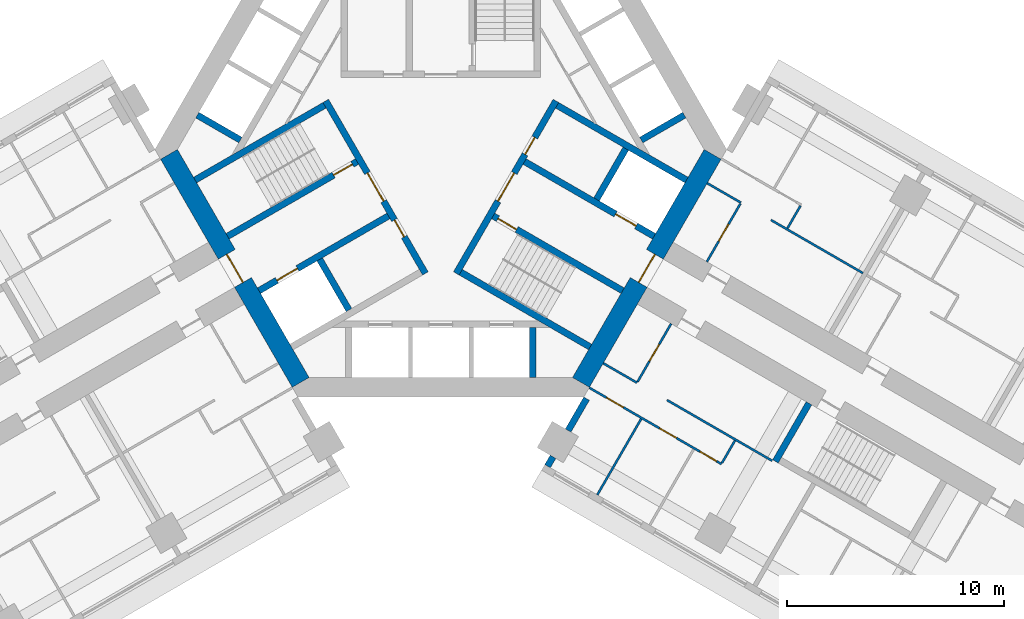
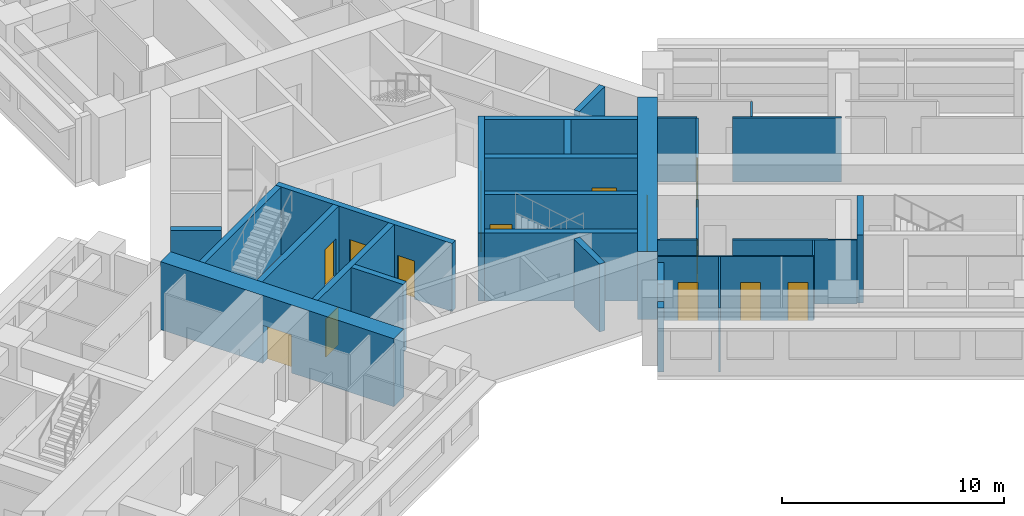
# One storey, part 7 of 16: 29 walls, 15 doors, 15 openings.
"""IFC4 building model written with IfcOpenShell, lengths in metres."""

from ifc_helpers import new_model, si_unit, direction, frame, frame_2d, origin, place, context, subcontext, project, spatial, rectangle, extrude, material, layer, layer_set, type_object, element, fill, save


model = new_model("IFC4")

# Units and contexts
model_context = context("Model", 3, precision=1e-05, world=origin(), true_north=direction((0.0, 1.0)))
body_context = subcontext(model_context, "Body", "Model", "MODEL_VIEW")
ifc_project = project(units=[si_unit("LENGTHUNIT", "METRE"), si_unit("AREAUNIT", "SQUARE_METRE"), si_unit("VOLUMEUNIT", "CUBIC_METRE"), si_unit("PLANEANGLEUNIT", "RADIAN"), si_unit("MASSUNIT", "GRAM", prefix="KILO")], contexts=[model_context])

# Site, building, storey
site_placement = place(None, origin())
site = spatial("IfcSite", under=ifc_project, at=site_placement, CompositionType="ELEMENT")
building_placement = place(site_placement, origin())
building = spatial("IfcBuilding", under=site, at=building_placement, Name="Impinga Residences", CompositionType="ELEMENT")
storey_placement = place(building_placement, frame((0.0, 0.0, 74.75)))
storey = spatial("IfcBuildingStorey", under=building, at=storey_placement, Name="L18", CompositionType="ELEMENT", Elevation=74.75)

# Walls
ifc_material_1 = material(Name="Terracotta rainscreen on blockwork", Category="masonry")
ifc_layer_1 = layer(ifc_material_1, 0.300048828125)
ifc_layer_set_1 = layer_set([ifc_layer_1], Name="EW1 external wall, terracotta rainscreen on blockwork 300")
wall_type_1 = type_object("IfcWallType", Name="EW1 external wall, terracotta rainscreen on blockwork 300", PredefinedType="SOLIDWALL", material=ifc_layer_set_1)
wall_1_placement = place(storey_placement, frame((4.929931640625, -14.624267578125, 0.0), z_axis=(0.0, 0.0, 1.0), x_axis=(0.499919672301, 0.866071776036, 0.0)))
element("IfcWall", 1, at=wall_1_placement, inside=storey, type_object=wall_type_1, Name="External wall EW1 L18", PredefinedType="SOLIDWALL", context=body_context, shape_type="SweptSolid", body=[
    extrude(rectangle(XDim=0.5, YDim=0.300048828125, at=frame_2d((0.25, 0.0))), origin(), (0.0, 0.0, 1.0), 3.530029296875),
])
wall_2_placement = place(storey_placement, frame((5.8798828125, -12.978759765625, 0.0), z_axis=(0.0, 0.0, 1.0), x_axis=(0.500062241894, 0.865989465428, 0.0)))
element("IfcWall", 2, at=wall_2_placement, inside=storey, type_object=wall_type_1, Name="External wall EW1 L18", PredefinedType="SOLIDWALL", context=body_context, shape_type="SweptSolid", body=[
    extrude(rectangle(XDim=1.699951171875, YDim=0.300048828125, at=frame_2d((0.85009765625, 0.0))), origin(), (0.0, 0.0, 1.0), 3.530029296875),
])
ifc_material_2 = material(Name="Gypsum board on steel studs", Category="steel")
ifc_layer_2 = layer(ifc_material_2, 0.10009765625)
ifc_layer_set_2 = layer_set([ifc_layer_2], Name="Gypsum board on steel studs")
wall_type_2 = type_object("IfcWallType", Name="IP1 partition 100", PredefinedType="PARTITIONING", material=ifc_layer_set_2)
wall_3_placement = place(storey_placement, frame((12.300048828125, -1.558837890625, 0.0), z_axis=(0.0, 0.0, 1.0), x_axis=(0.866047807691, -0.499961193289, 0.0)))
element("IfcWall", 3, at=wall_3_placement, inside=storey, type_object=wall_type_2, Name="Partition L18-EA1:DIV0", PredefinedType="PARTITIONING", context=body_context, shape_type="SweptSolid", body=[
    extrude(rectangle(XDim=1.800048828125, YDim=0.10009765625, at=frame_2d((0.89990234375, 0.0))), origin(), (0.0, 0.0, 1.0), 3.530029296875),
])
wall_4_placement = place(storey_placement, frame((15.244384765625, -3.2587890625, 0.0), z_axis=(0.0, 0.0, 1.0), x_axis=(0.866036242063, -0.49998122708, 0.0)))
element("IfcWall", 4, at=wall_4_placement, inside=storey, type_object=wall_type_2, Name="Partition L18-EA1:DIV1", PredefinedType="PARTITIONING", context=body_context, shape_type="SweptSolid", body=[
    extrude(rectangle(XDim=4.900146484375, YDim=0.10009765625, at=frame_2d((2.4501953125, 0.0))), origin(), (0.0, 0.0, 1.0), 3.530029296875),
])
wall_5_placement = place(storey_placement, frame((16.005615234375, -3.640625, 0.0), z_axis=(0.0, 0.0, 1.0), x_axis=(0.500033551112, 0.866006032174, 0.0)))
element("IfcWall", 5, at=wall_5_placement, inside=storey, type_object=wall_type_2, Name="Partition L18-EA1:SE1", PredefinedType="PARTITIONING", context=body_context, shape_type="SweptSolid", body=[
    extrude(rectangle(XDim=1.2001953125, YDim=0.10009765625, at=frame_2d((0.60009765625, 0.0))), origin(), (0.0, 0.0, 1.0), 3.530029296875),
])

# Wall, opening, door
wall_6_placement = place(storey_placement, frame((12.283935546875, -5.186767578125, 0.0), z_axis=(0.0, 0.0, 1.0), x_axis=(0.499967891604, 0.866043940782, 0.0)))
wall_6 = element("IfcWall", 6, at=wall_6_placement, inside=storey, type_object=wall_type_2, Name="Partition L18-EA1:IB1", PredefinedType="PARTITIONING", context=body_context, shape_type="SweptSolid", body=[
    extrude(rectangle(XDim=3.099853515625, YDim=0.10009765625, at=frame_2d((1.5498046875, 0.0))), origin(), (0.0, 0.0, 1.0), 3.530029296875),
])
opening_1_placement = place(wall_6_placement, frame((1.10009765625, 0.0, 0.0)))
opening_1 = element("IfcOpeningElement", 7, at=opening_1_placement, cuts=wall_6, Name="Opening D2", PredefinedType="OPENING", context=body_context, shape_type="SweptSolid", body=[
    extrude(rectangle(XDim=0.89990234375, YDim=2.10009765625, at=frame_2d((0.449951171875, 1.050048828125))), frame((0.0, 0.06005859375, 0.0), z_axis=(0.0, -1.0, 0.0), x_axis=(1.0, 0.0, 0.0)), (0.0, 0.0, 1.0), 0.1201171875),
])
ifc_material_3 = material(Name="Timber door set", Category="wood")
door_type_1 = type_object("IfcDoorType", Name="D2 internal door 900x2100", OperationType="SINGLE_SWING_LEFT", PredefinedType="DOOR", material=ifc_material_3)
door_1_placement = place(opening_1_placement, origin())
door_1 = element("IfcDoor", 8, at=door_1_placement, inside=storey, type_object=door_type_1, Name="Apartment L18-EA1 bathroom door", OperationType="SINGLE_SWING_LEFT", OverallHeight=2.10009765625, OverallWidth=0.89990234375, PredefinedType="DOOR", context=body_context, shape_type="SweptSolid", body=[
    extrude(rectangle(XDim=0.89990234375, YDim=2.10009765625, at=frame_2d((0.449951171875, 1.050048828125))), frame((0.0, 0.02490234375, 0.0), z_axis=(0.0, -1.0, 0.0), x_axis=(1.0, 0.0, 0.0)), (0.0, 0.0, 1.0), 0.050048828125),
])
fill(opening_1, door_1)

# Walls
wall_7_placement = place(storey_placement, frame((7.5, -9.872802734375, 0.0), z_axis=(0.0, 0.0, 1.0), x_axis=(0.866047807691, -0.499961193289, 0.0)))
element("IfcWall", 9, at=wall_7_placement, inside=storey, type_object=wall_type_2, Name="Partition L18-EF1:DIV0", PredefinedType="PARTITIONING", context=body_context, shape_type="SweptSolid", body=[
    extrude(rectangle(XDim=1.800048828125, YDim=0.10009765625, at=frame_2d((0.89990234375, 0.0))), origin(), (0.0, 0.0, 1.0), 3.530029296875),
])
wall_8_placement = place(storey_placement, frame((10.444580078125, -11.57275390625, 0.0), z_axis=(0.0, 0.0, 1.0), x_axis=(0.866015695474, -0.500016814911, 0.0)))
element("IfcWall", 10, at=wall_8_placement, inside=storey, type_object=wall_type_2, Name="Partition L18-EF1:DIV1", PredefinedType="PARTITIONING", context=body_context, shape_type="SweptSolid", body=[
    extrude(rectangle(XDim=5.599853515625, YDim=0.10009765625, at=frame_2d((2.7998046875, 0.0))), origin(), (0.0, 0.0, 1.0), 3.530029296875),
])

# Wall, openings, doors
wall_9_placement = place(storey_placement, frame((6.85009765625, -10.99853515625, 0.0), z_axis=(0.0, 0.0, 1.0), x_axis=(0.866031034943, -0.499990246421, 0.0)))
wall_9 = element("IfcWall", 11, at=wall_9_placement, inside=storey, type_object=wall_type_2, Name="Partition L18-EF1:STRIP", PredefinedType="PARTITIONING", context=body_context, shape_type="SweptSolid", body=[
    extrude(rectangle(XDim=7.050048828125, YDim=0.10009765625, at=frame_2d((3.52490234375, 0.0))), origin(), (0.0, 0.0, 1.0), 3.530029296875),
])
opening_2_placement = place(wall_9_placement, frame((0.925048828125, 0.0, 0.0)))
opening_2 = element("IfcOpeningElement", 12, at=opening_2_placement, cuts=wall_9, Name="Opening D2", PredefinedType="OPENING", context=body_context, shape_type="SweptSolid", body=[
    extrude(rectangle(XDim=0.89990234375, YDim=2.10009765625, at=frame_2d((0.449951171875, 1.050048828125))), frame((0.0, 0.06005859375, 0.0), z_axis=(0.0, -1.0, 0.0), x_axis=(1.0, 0.0, 0.0)), (0.0, 0.0, 1.0), 0.1201171875),
])
opening_3_placement = place(wall_9_placement, frame((3.75, 0.0, 0.0)))
opening_3 = element("IfcOpeningElement", 13, at=opening_3_placement, cuts=wall_9, Name="Opening D2", PredefinedType="OPENING", context=body_context, shape_type="SweptSolid", body=[
    extrude(rectangle(XDim=0.89990234375, YDim=2.10009765625, at=frame_2d((0.449951171875, 1.050048828125))), frame((0.0, 0.06005859375, 0.0), z_axis=(0.0, -1.0, 0.0), x_axis=(1.0, 0.0, 0.0)), (0.0, 0.0, 1.0), 0.1201171875),
])
opening_4_placement = place(wall_9_placement, frame((5.89990234375, 0.0, 0.0)))
opening_4 = element("IfcOpeningElement", 14, at=opening_4_placement, cuts=wall_9, Name="Opening D2", PredefinedType="OPENING", context=body_context, shape_type="SweptSolid", body=[
    extrude(rectangle(XDim=0.89990234375, YDim=2.10009765625, at=frame_2d((0.449951171875, 1.050048828125))), frame((0.0, 0.06005859375, 0.0), z_axis=(0.0, -1.0, 0.0), x_axis=(1.0, 0.0, 0.0)), (0.0, 0.0, 1.0), 0.1201171875),
])
door_2_placement = place(opening_2_placement, origin())
door_2 = element("IfcDoor", 15, at=door_2_placement, inside=storey, type_object=door_type_1, Name="Apartment L18-EF1 room door", OperationType="SINGLE_SWING_LEFT", OverallHeight=2.10009765625, OverallWidth=0.89990234375, PredefinedType="DOOR", context=body_context, shape_type="SweptSolid", body=[
    extrude(rectangle(XDim=0.89990234375, YDim=2.10009765625, at=frame_2d((0.449951171875, 1.050048828125))), frame((0.0, 0.02490234375, 0.0), z_axis=(0.0, -1.0, 0.0), x_axis=(1.0, 0.0, 0.0)), (0.0, 0.0, 1.0), 0.050048828125),
])
fill(opening_2, door_2)
door_3_placement = place(opening_3_placement, origin())
door_3 = element("IfcDoor", 16, at=door_3_placement, inside=storey, type_object=door_type_1, Name="Apartment L18-EF1 room door", OperationType="SINGLE_SWING_RIGHT", OverallHeight=2.10009765625, OverallWidth=0.89990234375, PredefinedType="DOOR", context=body_context, shape_type="SweptSolid", body=[
    extrude(rectangle(XDim=0.89990234375, YDim=2.10009765625, at=frame_2d((0.449951171875, 1.050048828125))), frame((0.0, 0.02490234375, 0.0), z_axis=(0.0, -1.0, 0.0), x_axis=(1.0, 0.0, 0.0)), (0.0, 0.0, 1.0), 0.050048828125),
])
fill(opening_3, door_3)
door_4_placement = place(opening_4_placement, origin())
door_4 = element("IfcDoor", 17, at=door_4_placement, inside=storey, type_object=door_type_1, Name="Apartment L18-EF1 room door", OperationType="SINGLE_SWING_RIGHT", OverallHeight=2.10009765625, OverallWidth=0.89990234375, PredefinedType="DOOR", context=body_context, shape_type="SweptSolid", body=[
    extrude(rectangle(XDim=0.89990234375, YDim=2.10009765625, at=frame_2d((0.449951171875, 1.050048828125))), frame((0.0, 0.02490234375, 0.0), z_axis=(0.0, -1.0, 0.0), x_axis=(1.0, 0.0, 0.0)), (0.0, 0.0, 1.0), 0.050048828125),
])
fill(opening_4, door_4)

# Wall
wall_10_placement = place(storey_placement, frame((13.58056640625, -13.44091796875, 0.0), z_axis=(0.0, 0.0, 1.0), x_axis=(-0.500033551112, -0.866006032174, 0.0)))
element("IfcWall", 18, at=wall_10_placement, inside=storey, type_object=wall_type_2, Name="Partition L18-EF1:SE1", PredefinedType="PARTITIONING", context=body_context, shape_type="SweptSolid", body=[
    extrude(rectangle(XDim=1.2001953125, YDim=0.10009765625, at=frame_2d((0.60009765625, 0.0))), origin(), (0.0, 0.0, 1.0), 3.530029296875),
])

# Wall, opening, door
wall_11_placement = place(storey_placement, frame((10.6337890625, -8.044677734375, 0.0), z_axis=(0.0, 0.0, 1.0), x_axis=(-0.49999285859, -0.86602952684, 0.0)))
wall_11 = element("IfcWall", 19, at=wall_11_placement, inside=storey, type_object=wall_type_2, Name="Partition L18-EF1:IB1", PredefinedType="PARTITIONING", context=body_context, shape_type="SweptSolid", body=[
    extrude(rectangle(XDim=3.10009765625, YDim=0.10009765625, at=frame_2d((1.550048828125, 0.0))), origin(), (0.0, 0.0, 1.0), 3.530029296875),
])
opening_5_placement = place(wall_11_placement, frame((1.10009765625, 0.0, 0.0)))
opening_5 = element("IfcOpeningElement", 20, at=opening_5_placement, cuts=wall_11, Name="Opening D2", PredefinedType="OPENING", context=body_context, shape_type="SweptSolid", body=[
    extrude(rectangle(XDim=0.89990234375, YDim=2.10009765625, at=frame_2d((0.449951171875, 1.050048828125))), frame((0.0, 0.06005859375, 0.0), z_axis=(0.0, -1.0, 0.0), x_axis=(1.0, 0.0, 0.0)), (0.0, 0.0, 1.0), 0.1201171875),
])
door_5_placement = place(opening_5_placement, origin())
door_5 = element("IfcDoor", 21, at=door_5_placement, inside=storey, type_object=door_type_1, Name="Apartment L18-EF1 bathroom door", OperationType="SINGLE_SWING_LEFT", OverallHeight=2.10009765625, OverallWidth=0.89990234375, PredefinedType="DOOR", context=body_context, shape_type="SweptSolid", body=[
    extrude(rectangle(XDim=0.89990234375, YDim=2.10009765625, at=frame_2d((0.449951171875, 1.050048828125))), frame((0.0, 0.02490234375, 0.0), z_axis=(0.0, -1.0, 0.0), x_axis=(1.0, 0.0, 0.0)), (0.0, 0.0, 1.0), 0.050048828125),
])
fill(opening_5, door_5)

# Walls
wall_12_placement = place(storey_placement, frame((9.249755859375, -12.44189453125, 0.0), z_axis=(0.0, 0.0, 1.0), x_axis=(-0.499990325971, -0.866030989016, 0.0)))
element("IfcWall", 22, at=wall_12_placement, inside=storey, type_object=wall_type_2, Name="Partition L18-EF1:OB1", PredefinedType="PARTITIONING", context=body_context, shape_type="SweptSolid", body=[
    extrude(rectangle(XDim=4.0498046875, YDim=0.10009765625, at=frame_2d((2.02490234375, 0.0))), origin(), (0.0, 0.0, 1.0), 3.530029296875),
])
ifc_material_4 = material(Name="Concrete C60/75", Category="concrete")
ifc_layer_3 = layer(ifc_material_4, 0.300048828125)
ifc_layer_set_3 = layer_set([ifc_layer_3], Name="Concrete C60/75")
wall_type_3 = type_object("IfcWallType", Name="SE1 wing stair enclosure wall 300", PredefinedType="SOLIDWALL", material=ifc_layer_set_3)
wall_13_placement = place(storey_placement, frame((16.9990234375, -11.7197265625, 0.0), z_axis=(0.0, 0.0, 1.0), x_axis=(-0.499967891604, -0.866043940782, 0.0)))
element("IfcWall", 23, at=wall_13_placement, inside=storey, type_object=wall_type_3, Name="Stair enclosure wall SE1 E END0 L18", PredefinedType="SOLIDWALL", context=body_context, shape_type="SweptSolid", body=[
    extrude(rectangle(XDim=3.099853515625, YDim=0.300048828125, at=frame_2d((1.5498046875, 0.0))), origin(), (0.0, 0.0, 1.0), 3.75),
])

# Wall, opening, door
ifc_material_5 = material(Name="Concrete C70/85", Category="concrete")
ifc_layer_4 = layer(ifc_material_5, 0.89990234375)
ifc_layer_set_4 = layer_set([ifc_layer_4], Name="Concrete C70/85")
wall_type_4 = type_object("IfcWallType", Name="SW1 core wall 900", PredefinedType="SHEAR", material=ifc_layer_set_4)
wall_14_placement = place(storey_placement, frame((-6.47021484375, -10.756591796875, 0.0), z_axis=(0.0, 0.0, 1.0), x_axis=(-0.499997612506, 0.8660267822, 0.0)))
wall_14 = element("IfcWall", 24, at=wall_14_placement, inside=storey, type_object=wall_type_4, Name="Core wall SW1 W:FACE L18", PredefinedType="SHEAR", context=body_context, shape_type="SweptSolid", body=[
    extrude(rectangle(XDim=12.16064453125, YDim=0.89990234375, at=frame_2d((6.080322265625, 0.0))), origin(), (0.0, 0.0, 1.0), 3.75),
])
opening_6_placement = place(wall_14_placement, frame((5.330322265625, 0.0, 0.0)))
opening_6 = element("IfcOpeningElement", 25, at=opening_6_placement, cuts=wall_14, Name="Opening D4", PredefinedType="OPENING", context=body_context, shape_type="SweptSolid", body=[
    extrude(rectangle(XDim=1.5, YDim=2.10009765625, at=frame_2d((0.75, 1.050048828125))), frame((0.0, 0.4599609375, 0.0), z_axis=(0.0, -1.0, 0.0), x_axis=(1.0, 0.0, 0.0)), (0.0, 0.0, 1.0), 0.919921875),
])
door_type_2 = type_object("IfcDoorType", Name="D4 lobby door pair 1500x2100", OperationType="DOUBLE_DOOR_DOUBLE_SWING", PredefinedType="DOOR", material=ifc_material_3)
door_6_placement = place(opening_6_placement, origin())
door_6 = element("IfcDoor", 26, at=door_6_placement, inside=storey, type_object=door_type_2, Name="Lobby door W", OperationType="DOUBLE_DOOR_DOUBLE_SWING", OverallHeight=2.10009765625, OverallWidth=1.5, PredefinedType="DOOR", context=body_context, shape_type="SweptSolid", body=[
    extrude(rectangle(XDim=1.5, YDim=2.10009765625, at=frame_2d((0.75, 1.050048828125))), frame((0.0, 0.02490234375, 0.0), z_axis=(0.0, -1.0, 0.0), x_axis=(1.0, 0.0, 0.0)), (0.0, 0.0, 1.0), 0.050048828125),
])
fill(opening_6, door_6)

wall_15_placement = place(storey_placement, frame((12.550537109375, -0.22509765625, 0.0), z_axis=(0.0, 0.0, 1.0), x_axis=(-0.499997612506, -0.8660267822, 0.0)))
wall_15 = element("IfcWall", 27, at=wall_15_placement, inside=storey, type_object=wall_type_4, Name="Core wall SW1 E:FACE L18", PredefinedType="SHEAR", context=body_context, shape_type="SweptSolid", body=[
    extrude(rectangle(XDim=12.16064453125, YDim=0.89990234375, at=frame_2d((6.080322265625, 0.0))), origin(), (0.0, 0.0, 1.0), 3.75),
])
opening_7_placement = place(wall_15_placement, frame((5.330322265625, 0.0, 0.0)))
opening_7 = element("IfcOpeningElement", 28, at=opening_7_placement, cuts=wall_15, Name="Opening D4", PredefinedType="OPENING", context=body_context, shape_type="SweptSolid", body=[
    extrude(rectangle(XDim=1.5, YDim=2.10009765625, at=frame_2d((0.75, 1.050048828125))), frame((0.0, 0.4599609375, 0.0), z_axis=(0.0, -1.0, 0.0), x_axis=(1.0, 0.0, 0.0)), (0.0, 0.0, 1.0), 0.919921875),
])
door_7_placement = place(opening_7_placement, origin())
door_7 = element("IfcDoor", 29, at=door_7_placement, inside=storey, type_object=door_type_2, Name="Lobby door E", OperationType="DOUBLE_DOOR_DOUBLE_SWING", OverallHeight=2.10009765625, OverallWidth=1.5, PredefinedType="DOOR", context=body_context, shape_type="SweptSolid", body=[
    extrude(rectangle(XDim=1.5, YDim=2.10009765625, at=frame_2d((0.75, 1.050048828125))), frame((0.0, 0.02490234375, 0.0), z_axis=(0.0, -1.0, 0.0), x_axis=(1.0, 0.0, 0.0)), (0.0, 0.0, 1.0), 0.050048828125),
])
fill(opening_7, door_7)

# Wall, openings, doors
ifc_layer_5 = layer(ifc_material_5, 0.300048828125)
ifc_layer_set_5 = layer_set([ifc_layer_5], Name="Concrete C70/85")
wall_type_5 = type_object("IfcWallType", Name="SW5 core inner wall, stairs, shafts and lobbies 300", PredefinedType="SHEAR", material=ifc_layer_set_5)
wall_16_placement = place(storey_placement, frame((-0.7138671875, -5.7236328125, 0.0), z_axis=(0.0, 0.0, 1.0), x_axis=(-0.499995050369, 0.866028261437, 0.0)))
wall_16 = element("IfcWall", 30, at=wall_16_placement, inside=storey, type_object=wall_type_5, Name="Core wall SW5 W:ZONE L18", PredefinedType="SHEAR", context=body_context, shape_type="SweptSolid", body=[
    extrude(rectangle(XDim=9.19970703125, YDim=0.300048828125, at=frame_2d((4.599853515625, 0.0))), origin(), (0.0, 0.0, 1.0), 3.75),
])
opening_8_placement = place(wall_16_placement, frame((3.85009765625, 0.0, 0.0)))
opening_8 = element("IfcOpeningElement", 31, at=opening_8_placement, cuts=wall_16, Name="Opening D4", PredefinedType="OPENING", context=body_context, shape_type="SweptSolid", body=[
    extrude(rectangle(XDim=1.5, YDim=2.10009765625, at=frame_2d((0.75, 1.050048828125))), frame((0.0, 0.159912109375, 0.0), z_axis=(0.0, -1.0, 0.0), x_axis=(1.0, 0.0, 0.0)), (0.0, 0.0, 1.0), 0.320068359375),
])
opening_9_placement = place(wall_16_placement, frame((1.949951171875, 0.0, 0.0)))
opening_9 = element("IfcOpeningElement", 32, at=opening_9_placement, cuts=wall_16, Name="Opening D6", PredefinedType="OPENING", context=body_context, shape_type="SweptSolid", body=[
    extrude(rectangle(XDim=0.89990234375, YDim=2.10009765625, at=frame_2d((0.449951171875, 1.050048828125))), frame((0.0, 0.159912109375, 0.0), z_axis=(0.0, -1.0, 0.0), x_axis=(1.0, 0.0, 0.0)), (0.0, 0.0, 1.0), 0.320068359375),
])
door_8_placement = place(opening_8_placement, origin())
door_8 = element("IfcDoor", 33, at=door_8_placement, inside=storey, type_object=door_type_2, Name="Firefighting lobby door W", OperationType="DOUBLE_DOOR_DOUBLE_SWING", OverallHeight=2.10009765625, OverallWidth=1.5, PredefinedType="DOOR", context=body_context, shape_type="SweptSolid", body=[
    extrude(rectangle(XDim=1.5, YDim=2.10009765625, at=frame_2d((0.75, 1.050048828125))), frame((0.0, 0.02490234375, 0.0), z_axis=(0.0, -1.0, 0.0), x_axis=(1.0, 0.0, 0.0)), (0.0, 0.0, 1.0), 0.050048828125),
])
fill(opening_8, door_8)
door_type_3 = type_object("IfcDoorType", Name="D6 riser and store door 900x2100", OperationType="SINGLE_SWING_LEFT", PredefinedType="DOOR", material=ifc_material_3)
door_9_placement = place(opening_9_placement, origin())
door_9 = element("IfcDoor", 34, at=door_9_placement, inside=storey, type_object=door_type_3, Name="Riser door W", OperationType="SINGLE_SWING_LEFT", OverallHeight=2.10009765625, OverallWidth=0.89990234375, PredefinedType="DOOR", context=body_context, shape_type="SweptSolid", body=[
    extrude(rectangle(XDim=0.89990234375, YDim=2.10009765625, at=frame_2d((0.449951171875, 1.050048828125))), frame((0.0, 0.02490234375, 0.0), z_axis=(0.0, -1.0, 0.0), x_axis=(1.0, 0.0, 0.0)), (0.0, 0.0, 1.0), 0.050048828125),
])
fill(opening_9, door_9)

# Wall, opening, door
wall_17_placement = place(storey_placement, frame((-3.86865234375, -0.559326171875, 0.0), z_axis=(0.0, 0.0, 1.0), x_axis=(-0.86602711848, -0.499997030048, 0.0)))
wall_17 = element("IfcWall", 35, at=wall_17_placement, inside=storey, type_object=wall_type_5, Name="Core wall SW5 W:ST-IN L18", PredefinedType="SHEAR", context=body_context, shape_type="SweptSolid", body=[
    extrude(rectangle(XDim=6.9013671875, YDim=0.300048828125, at=frame_2d((3.45068359375, 0.0))), origin(), (0.0, 0.0, 1.0), 3.75),
])
opening_10_placement = place(wall_17_placement, frame((0.25, 0.0, 0.0)))
opening_10 = element("IfcOpeningElement", 36, at=opening_10_placement, cuts=wall_17, Name="Opening D5", PredefinedType="OPENING", context=body_context, shape_type="SweptSolid", body=[
    extrude(rectangle(XDim=1.0, YDim=2.10009765625, at=frame_2d((0.5, 1.050048828125))), frame((0.0, 0.159912109375, 0.0), z_axis=(0.0, -1.0, 0.0), x_axis=(1.0, 0.0, 0.0)), (0.0, 0.0, 1.0), 0.320068359375),
])
door_type_4 = type_object("IfcDoorType", Name="D5 stair door 1000x2100", OperationType="SINGLE_SWING_LEFT", PredefinedType="DOOR", material=ifc_material_3)
door_10_placement = place(opening_10_placement, origin())
door_10 = element("IfcDoor", 37, at=door_10_placement, inside=storey, type_object=door_type_4, Name="Stair door W", OperationType="SINGLE_SWING_LEFT", OverallHeight=2.10009765625, OverallWidth=1.0, PredefinedType="DOOR", context=body_context, shape_type="SweptSolid", body=[
    extrude(rectangle(XDim=1.0, YDim=2.10009765625, at=frame_2d((0.5, 1.050048828125))), frame((0.0, 0.02490234375, 0.0), z_axis=(0.0, -1.0, 0.0), x_axis=(1.0, 0.0, 0.0)), (0.0, 0.0, 1.0), 0.050048828125),
])
fill(opening_10, door_10)

# Wall
wall_18_placement = place(storey_placement, frame((-5.36865234375, 2.038818359375, 0.0), z_axis=(0.0, 0.0, 1.0), x_axis=(-0.86602711848, -0.499997030048, 0.0)))
element("IfcWall", 38, at=wall_18_placement, inside=storey, type_object=wall_type_5, Name="Core wall SW5 W:ST-OUT L18", PredefinedType="SHEAR", context=body_context, shape_type="SweptSolid", body=[
    extrude(rectangle(XDim=6.9013671875, YDim=0.300048828125, at=frame_2d((3.45068359375, 0.0))), origin(), (0.0, 0.0, 1.0), 3.75),
])

# Wall, opening, door
wall_19_placement = place(storey_placement, frame((-2.418701171875, -3.07080078125, 0.0), z_axis=(0.0, 0.0, 1.0), x_axis=(-0.86602711848, -0.499997030048, 0.0)))
wall_19 = element("IfcWall", 39, at=wall_19_placement, inside=storey, type_object=wall_type_5, Name="Core wall SW5 W:FF-IN L18", PredefinedType="SHEAR", context=body_context, shape_type="SweptSolid", body=[
    extrude(rectangle(XDim=6.9013671875, YDim=0.300048828125, at=frame_2d((3.45068359375, 0.0))), origin(), (0.0, 0.0, 1.0), 3.75),
])
opening_11_placement = place(wall_19_placement, frame((4.85009765625, 0.0, 0.0)))
opening_11 = element("IfcOpeningElement", 40, at=opening_11_placement, cuts=wall_19, Name="Opening LD2", PredefinedType="OPENING", context=body_context, shape_type="SweptSolid", body=[
    extrude(rectangle(XDim=1.10009765625, YDim=2.10009765625, at=frame_2d((0.550048828125, 1.050048828125))), frame((0.0, 0.159912109375, 0.0), z_axis=(0.0, -1.0, 0.0), x_axis=(1.0, 0.0, 0.0)), (0.0, 0.0, 1.0), 0.320068359375),
])
ifc_material_6 = material(Name="Steel lift landing door", Category="steel")
door_type_5 = type_object("IfcDoorType", Name="LD2 firefighting lift landing door 1100x2100", OperationType="DOUBLE_DOOR_SLIDING", PredefinedType="DOOR", material=ifc_material_6)
door_11_placement = place(opening_11_placement, origin())
door_11 = element("IfcDoor", 41, at=door_11_placement, inside=storey, type_object=door_type_5, Name="Firefighting lift landing door F2", OperationType="DOUBLE_DOOR_SLIDING", OverallHeight=2.10009765625, OverallWidth=1.10009765625, PredefinedType="DOOR", context=body_context, shape_type="SweptSolid", body=[
    extrude(rectangle(XDim=1.10009765625, YDim=2.10009765625, at=frame_2d((0.550048828125, 1.050048828125))), frame((0.0, 0.02490234375, 0.0), z_axis=(0.0, -1.0, 0.0), x_axis=(1.0, 0.0, 0.0)), (0.0, 0.0, 1.0), 0.050048828125),
])
fill(opening_11, door_11)

# Wall
wall_20_placement = place(storey_placement, frame((-4.2412109375, -7.413818359375, 0.0), z_axis=(0.0, 0.0, 1.0), x_axis=(-0.500048589285, 0.86599734893, 0.0)))
element("IfcWall", 42, at=wall_20_placement, inside=storey, type_object=wall_type_5, Name="Core wall SW5 W:FF-RS L18", PredefinedType="SHEAR", context=body_context, shape_type="SweptSolid", body=[
    extrude(rectangle(XDim=2.699951171875, YDim=0.300048828125, at=frame_2d((1.35009765625, 0.0))), origin(), (0.0, 0.0, 1.0), 3.75),
])

# Wall, openings, doors
wall_21_placement = place(storey_placement, frame((5.313720703125, 2.24365234375, 0.0), z_axis=(0.0, 0.0, 1.0), x_axis=(-0.499995050369, -0.866028261437, 0.0)))
wall_21 = element("IfcWall", 43, at=wall_21_placement, inside=storey, type_object=wall_type_5, Name="Core wall SW5 E:ZONE L18", PredefinedType="SHEAR", context=body_context, shape_type="SweptSolid", body=[
    extrude(rectangle(XDim=9.19970703125, YDim=0.300048828125, at=frame_2d((4.599853515625, 0.0))), origin(), (0.0, 0.0, 1.0), 3.75),
])
opening_12_placement = place(wall_21_placement, frame((3.85009765625, 0.0, 0.0)))
opening_12 = element("IfcOpeningElement", 44, at=opening_12_placement, cuts=wall_21, Name="Opening D4", PredefinedType="OPENING", context=body_context, shape_type="SweptSolid", body=[
    extrude(rectangle(XDim=1.5, YDim=2.10009765625, at=frame_2d((0.75, 1.050048828125))), frame((0.0, 0.159912109375, 0.0), z_axis=(0.0, -1.0, 0.0), x_axis=(1.0, 0.0, 0.0)), (0.0, 0.0, 1.0), 0.320068359375),
])
opening_13_placement = place(wall_21_placement, frame((1.949951171875, 0.0, 0.0)))
opening_13 = element("IfcOpeningElement", 45, at=opening_13_placement, cuts=wall_21, Name="Opening D6", PredefinedType="OPENING", context=body_context, shape_type="SweptSolid", body=[
    extrude(rectangle(XDim=0.89990234375, YDim=2.10009765625, at=frame_2d((0.449951171875, 1.050048828125))), frame((0.0, 0.159912109375, 0.0), z_axis=(0.0, -1.0, 0.0), x_axis=(1.0, 0.0, 0.0)), (0.0, 0.0, 1.0), 0.320068359375),
])
door_12_placement = place(opening_12_placement, origin())
door_12 = element("IfcDoor", 46, at=door_12_placement, inside=storey, type_object=door_type_2, Name="Firefighting lobby door E", OperationType="DOUBLE_DOOR_DOUBLE_SWING", OverallHeight=2.10009765625, OverallWidth=1.5, PredefinedType="DOOR", context=body_context, shape_type="SweptSolid", body=[
    extrude(rectangle(XDim=1.5, YDim=2.10009765625, at=frame_2d((0.75, 1.050048828125))), frame((0.0, 0.02490234375, 0.0), z_axis=(0.0, -1.0, 0.0), x_axis=(1.0, 0.0, 0.0)), (0.0, 0.0, 1.0), 0.050048828125),
])
fill(opening_12, door_12)
door_13_placement = place(opening_13_placement, origin())
door_13 = element("IfcDoor", 47, at=door_13_placement, inside=storey, type_object=door_type_3, Name="Riser door E", OperationType="SINGLE_SWING_LEFT", OverallHeight=2.10009765625, OverallWidth=0.89990234375, PredefinedType="DOOR", context=body_context, shape_type="SweptSolid", body=[
    extrude(rectangle(XDim=0.89990234375, YDim=2.10009765625, at=frame_2d((0.449951171875, 1.050048828125))), frame((0.0, 0.02490234375, 0.0), z_axis=(0.0, -1.0, 0.0), x_axis=(1.0, 0.0, 0.0)), (0.0, 0.0, 1.0), 0.050048828125),
])
fill(opening_13, door_13)

# Wall, opening, door
wall_22_placement = place(storey_placement, frame((2.418701171875, -3.07080078125, 0.0), z_axis=(0.0, 0.0, 1.0), x_axis=(0.86602711848, -0.499997030048, 0.0)))
wall_22 = element("IfcWall", 48, at=wall_22_placement, inside=storey, type_object=wall_type_5, Name="Core wall SW5 E:ST-IN L18", PredefinedType="SHEAR", context=body_context, shape_type="SweptSolid", body=[
    extrude(rectangle(XDim=6.9013671875, YDim=0.300048828125, at=frame_2d((3.45068359375, 0.0))), origin(), (0.0, 0.0, 1.0), 3.75),
])
opening_14_placement = place(wall_22_placement, frame((0.25, 0.0, 0.0)))
opening_14 = element("IfcOpeningElement", 49, at=opening_14_placement, cuts=wall_22, Name="Opening D5", PredefinedType="OPENING", context=body_context, shape_type="SweptSolid", body=[
    extrude(rectangle(XDim=1.0, YDim=2.10009765625, at=frame_2d((0.5, 1.050048828125))), frame((0.0, 0.159912109375, 0.0), z_axis=(0.0, -1.0, 0.0), x_axis=(1.0, 0.0, 0.0)), (0.0, 0.0, 1.0), 0.320068359375),
])
door_14_placement = place(opening_14_placement, origin())
door_14 = element("IfcDoor", 50, at=door_14_placement, inside=storey, type_object=door_type_4, Name="Stair door E", OperationType="SINGLE_SWING_LEFT", OverallHeight=2.10009765625, OverallWidth=1.0, PredefinedType="DOOR", context=body_context, shape_type="SweptSolid", body=[
    extrude(rectangle(XDim=1.0, YDim=2.10009765625, at=frame_2d((0.5, 1.050048828125))), frame((0.0, 0.02490234375, 0.0), z_axis=(0.0, -1.0, 0.0), x_axis=(1.0, 0.0, 0.0)), (0.0, 0.0, 1.0), 0.050048828125),
])
fill(opening_14, door_14)

# Wall
wall_23_placement = place(storey_placement, frame((0.918701171875, -5.668701171875, 0.0), z_axis=(0.0, 0.0, 1.0), x_axis=(0.866011800373, -0.500023561059, 0.0)))
element("IfcWall", 51, at=wall_23_placement, inside=storey, type_object=wall_type_5, Name="Core wall SW5 E:ST-OUT L18", PredefinedType="SHEAR", context=body_context, shape_type="SweptSolid", body=[
    extrude(rectangle(XDim=6.901611328125, YDim=0.300048828125, at=frame_2d((3.45068359375, 0.0))), origin(), (0.0, 0.0, 1.0), 3.75),
])

# Wall, opening, door
wall_24_placement = place(storey_placement, frame((3.86865234375, -0.559326171875, 0.0), z_axis=(0.0, 0.0, 1.0), x_axis=(0.86602711848, -0.499997030048, 0.0)))
wall_24 = element("IfcWall", 52, at=wall_24_placement, inside=storey, type_object=wall_type_5, Name="Core wall SW5 E:FF-IN L18", PredefinedType="SHEAR", context=body_context, shape_type="SweptSolid", body=[
    extrude(rectangle(XDim=6.9013671875, YDim=0.300048828125, at=frame_2d((3.45068359375, 0.0))), origin(), (0.0, 0.0, 1.0), 3.75),
])
opening_15_placement = place(wall_24_placement, frame((4.85009765625, 0.0, 0.0)))
opening_15 = element("IfcOpeningElement", 53, at=opening_15_placement, cuts=wall_24, Name="Opening LD2", PredefinedType="OPENING", context=body_context, shape_type="SweptSolid", body=[
    extrude(rectangle(XDim=1.10009765625, YDim=2.10009765625, at=frame_2d((0.550048828125, 1.050048828125))), frame((0.0, 0.159912109375, 0.0), z_axis=(0.0, -1.0, 0.0), x_axis=(1.0, 0.0, 0.0)), (0.0, 0.0, 1.0), 0.320068359375),
])
door_15_placement = place(opening_15_placement, origin())
door_15 = element("IfcDoor", 54, at=door_15_placement, inside=storey, type_object=door_type_5, Name="Firefighting lift landing door F3", OperationType="DOUBLE_DOOR_SLIDING", OverallHeight=2.10009765625, OverallWidth=1.10009765625, PredefinedType="DOOR", context=body_context, shape_type="SweptSolid", body=[
    extrude(rectangle(XDim=1.10009765625, YDim=2.10009765625, at=frame_2d((0.550048828125, 1.050048828125))), frame((0.0, 0.02490234375, 0.0), z_axis=(0.0, -1.0, 0.0), x_axis=(1.0, 0.0, 0.0)), (0.0, 0.0, 1.0), 0.050048828125),
])
fill(opening_15, door_15)

# Walls
wall_25_placement = place(storey_placement, frame((5.36865234375, 2.038818359375, 0.0), z_axis=(0.0, 0.0, 1.0), x_axis=(0.86602711848, -0.499997030048, 0.0)))
element("IfcWall", 55, at=wall_25_placement, inside=storey, type_object=wall_type_5, Name="Core wall SW5 E:FF-OUT L18", PredefinedType="SHEAR", context=body_context, shape_type="SweptSolid", body=[
    extrude(rectangle(XDim=6.9013671875, YDim=0.300048828125, at=frame_2d((3.45068359375, 0.0))), origin(), (0.0, 0.0, 1.0), 3.75),
])
wall_26_placement = place(storey_placement, frame((8.541259765625, 0.033935546875, 0.0), z_axis=(0.0, 0.0, 1.0), x_axis=(-0.50000943426, -0.866019956843, 0.0)))
element("IfcWall", 56, at=wall_26_placement, inside=storey, type_object=wall_type_5, Name="Core wall SW5 E:FF-RS L18", PredefinedType="SHEAR", context=body_context, shape_type="SweptSolid", body=[
    extrude(rectangle(XDim=2.7001953125, YDim=0.300048828125, at=frame_2d((1.35009765625, 0.0))), origin(), (0.0, 0.0, 1.0), 3.75),
])
for number, where, z_axis, x_axis, name in (
    (57, (4.25, -8.2314453125, 0.0), (0.0, 0.0, 1.0), (0.0, -1.0, 0.0), "Core wall SW5 N:BANK-L L18"),
    (58, (9.253662109375, 0.43505859375, 0.0), (0.0, 0.0, 1.0), (0.866007057882, 0.500031774688, 0.0), "Core wall SW5 W:BANK-R L18"),
    (59, (-9.253662109375, 0.43505859375, 0.0), (0.0, 0.0, 1.0), (-0.866007057882, 0.500031774688, 0.0), "Core wall SW5 E:BANK-L L18"),
):
    element("IfcWall", number, at=place(storey_placement, frame(where, z_axis=z_axis, x_axis=x_axis)), inside=storey, type_object=wall_type_5, Name=name, PredefinedType="SHEAR", context=body_context, shape_type="SweptSolid", body=[
        extrude(rectangle(XDim=2.300048828125, YDim=0.300048828125, at=frame_2d((1.14990234375, 0.0))), origin(), (0.0, 0.0, 1.0), 3.75),
    ])

save(model, "model.ifc")
